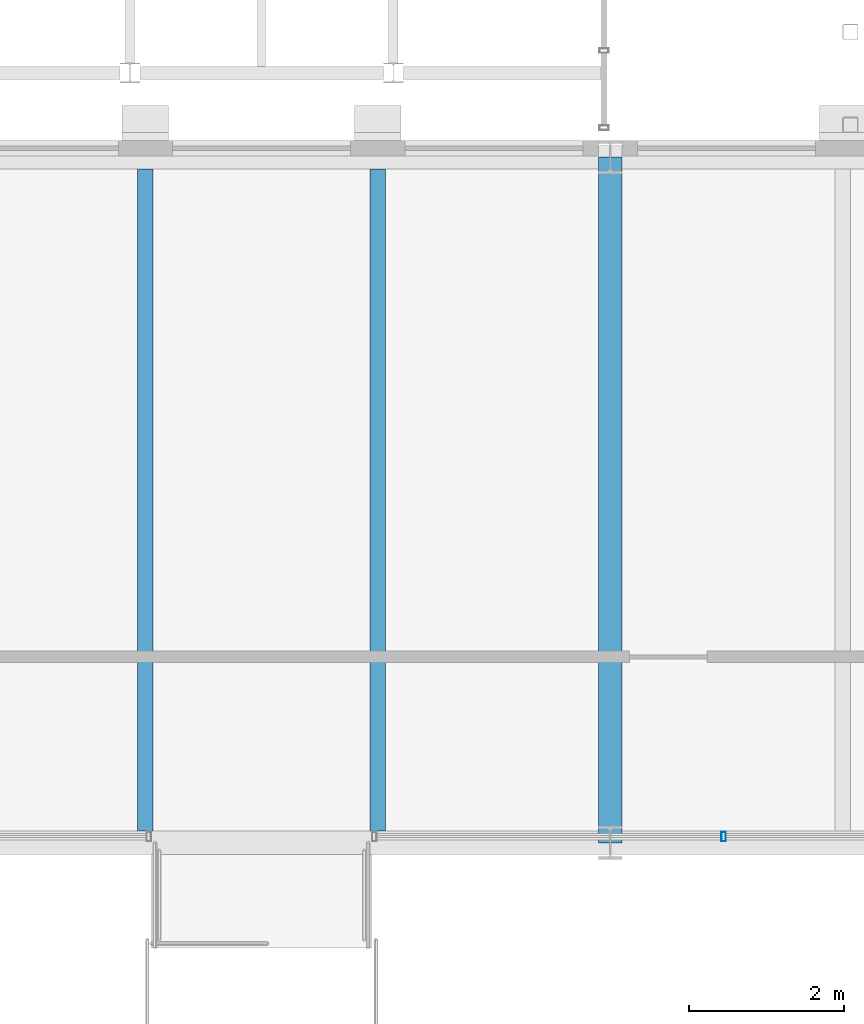
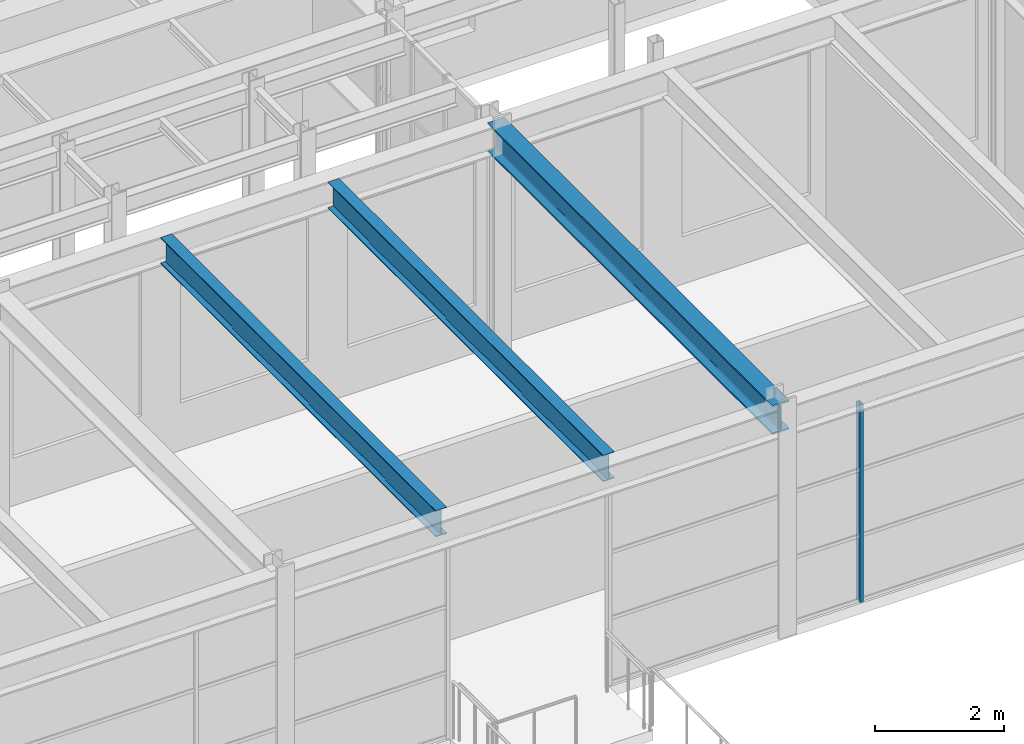
# One storey, part 63 of 153: 3 beams, 1 member, 1 element without a shape of its own.
"""IFC4 building model written with IfcOpenShell, lengths in metres."""

from ifc_helpers import new_model, si_unit, direction, frame, origin, origin_2d, place, context, subcontext, project, spatial, hollow_rectangle, i_section, extrude, material, material_profile, profile_set, type_object, element, aggregate, save


model = new_model("IFC4")

# Units and contexts
model_context = context("Model", 3, precision=1e-05, world=origin(), true_north=direction((0.0, 1.0)))
body_context = subcontext(model_context, "Body", "Model", "MODEL_VIEW")
ifc_project = project(units=[si_unit("LENGTHUNIT", "METRE"), si_unit("AREAUNIT", "SQUARE_METRE"), si_unit("VOLUMEUNIT", "CUBIC_METRE"), si_unit("PLANEANGLEUNIT", "RADIAN"), si_unit("MASSUNIT", "GRAM", prefix="KILO")], contexts=[model_context])

# Site, building, storey
site_placement = place(None, origin())
site = spatial("IfcSite", under=ifc_project, at=site_placement, CompositionType="ELEMENT")
building_placement = place(site_placement, origin())
building = spatial("IfcBuilding", under=site, at=building_placement, Name="Kallimachos Central Library", CompositionType="ELEMENT")
storey_placement = place(building_placement, frame((0.0, 0.0, 5.39990234375)))
storey = spatial("IfcBuildingStorey", under=building, at=storey_placement, Name="L01", CompositionType="ELEMENT", Elevation=5.39990234375)

# Curtain wall, member
ifc_material_1 = material(Name="Aluminium and laminated glass", Category="aluminium")
curtain_wall_type = type_object("IfcCurtainWallType", Name="Atrium glazed screen", PredefinedType="NOTDEFINED", material=ifc_material_1)
curtain_wall_placement = place(storey_placement, origin())
curtain_wall = element("IfcCurtainWall", 1, at=curtain_wall_placement, inside=storey, type_object=curtain_wall_type, Name="L01 atrium screen N", PredefinedType="NOTDEFINED")
ifc_material_2 = material(Name="Anodised aluminium", Category="aluminium")
ifc_material_profile_1 = material_profile(ifc_material_2, hollow_rectangle(XDim=0.06005859375, YDim=0.1201171875, WallThickness=0.00390625, at=origin_2d()), Name="ALU MULLION 60x120")
ifc_profile_set_1 = profile_set([ifc_material_profile_1], Name="Anodised aluminium")
member_type = type_object("IfcMemberType", Name="Atrium screen mullion", PredefinedType="MULLION", material=ifc_profile_set_1)
member_placement = place(storey_placement, frame((93.96240234375, 75.080078125, 0.0), z_axis=(0.0, 0.0, 1.0), x_axis=(1.0, 0.0, 0.0)))
member = element("IfcMember", 2, at=member_placement, type_object=member_type, Name="CW mullion 2", PredefinedType="MULLION", context=body_context, shape_type="SweptSolid", body=[
    extrude(hollow_rectangle(XDim=0.06005859375, YDim=0.1201171875, WallThickness=0.00390625, at=origin_2d()), origin(), (0.0, 0.0, 1.0), 3.75),
])
aggregate(curtain_wall, [member])

# Beams
ifc_material_3 = material(Name="Steel S355J2", Category="steel")
ifc_material_profile_2 = material_profile(ifc_material_3, i_section(OverallWidth=0.300048828125, OverallDepth=0.550048828125, WebThickness=0.014892578125, FlangeThickness=0.029052734375, FilletRadius=0.027099609375, at=origin_2d()), Name="HEB 550")
ifc_profile_set_2 = profile_set([ifc_material_profile_2], Name="Steel S355J2")
beam_type_1 = type_object("IfcBeamType", Name="HEB 550 beam", PredefinedType="BEAM", material=ifc_profile_set_2)
beam_placement = place(storey_placement, frame((92.5, 75.0, 4.025146484375), z_axis=(0.0, 1.0, 0.0), x_axis=(-1.0, 0.0, 0.0)))
element("IfcBeam", 3, at=beam_placement, inside=storey, type_object=beam_type_1, Name="V4-BEM-L01-012", PredefinedType="BEAM", context=body_context, shape_type="SweptSolid", body=[
    extrude(i_section(OverallWidth=0.300048828125, OverallDepth=0.550048828125, WebThickness=0.014892578125, FlangeThickness=0.029052734375, FilletRadius=0.027099609375, at=origin_2d()), origin(), (0.0, 0.0, 1.0), 8.85009765625),
])
ifc_material_4 = material(Name="Steel S355J2", Category="steel")
ifc_material_profile_3 = material_profile(ifc_material_4, i_section(OverallWidth=0.199951171875, OverallDepth=0.5, WebThickness=0.01025390625, FlangeThickness=0.01611328125, FilletRadius=0.02099609375, at=origin_2d()), Name="IPE 500")
ifc_profile_set_3 = profile_set([ifc_material_profile_3], Name="Steel S355J2")
beam_type_2 = type_object("IfcBeamType", Name="IPE 500 beam", PredefinedType="BEAM", material=ifc_profile_set_3)
for number, where, z_axis, x_axis, name in (
    (4, (86.5, 75.14990234375, 4.050048828125), (0.0, 1.0, 0.0), (-1.0, 0.0, 0.0), "V4-BEM-L01-017"),
    (5, (89.5, 75.14990234375, 4.050048828125), (0.0, 1.0, 0.0), (-1.0, 0.0, 0.0), "V4-BEM-L01-018"),
):
    element("IfcBeam", number, at=place(storey_placement, frame(where, z_axis=z_axis, x_axis=x_axis)), inside=storey, type_object=beam_type_2, Name=name, PredefinedType="BEAM", context=body_context, shape_type="SweptSolid", body=[
        extrude(i_section(OverallWidth=0.199951171875, OverallDepth=0.5, WebThickness=0.01025390625, FlangeThickness=0.01611328125, FilletRadius=0.02099609375, at=origin_2d()), origin(), (0.0, 0.0, 1.0), 8.550048828125),
    ])

save(model, "model.ifc")
